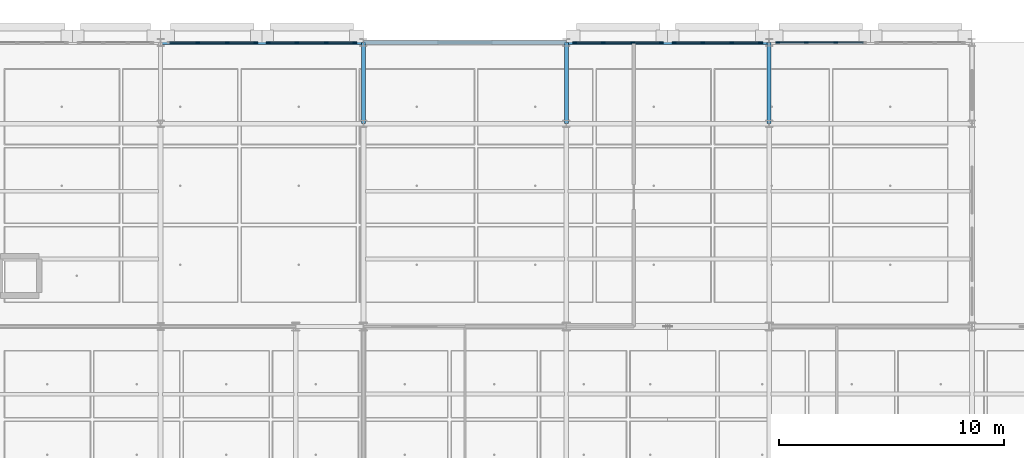
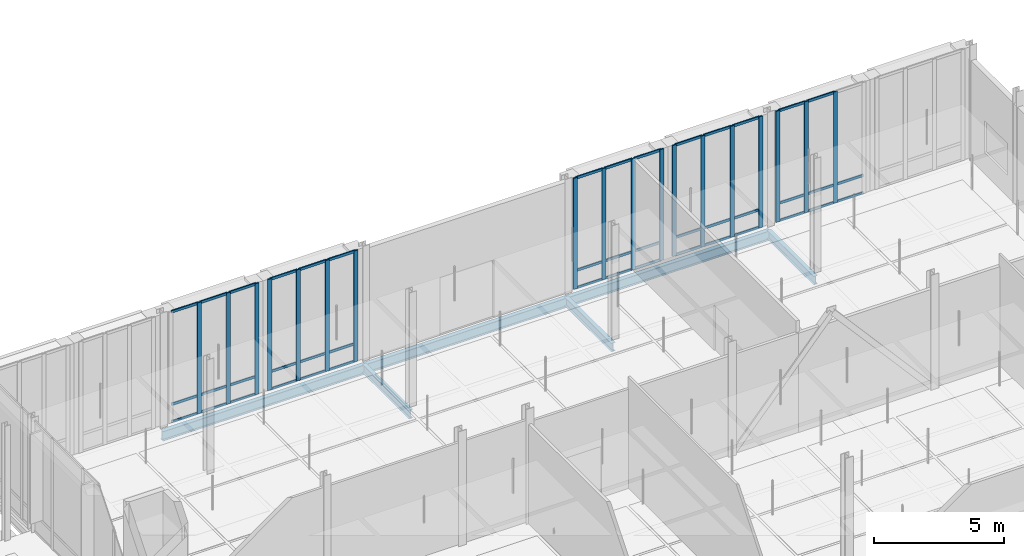
# One storey, part 60 of 180: 62 members, 6 beams, 5 elements without a shape of their own.
"""IFC4 building model written with IfcOpenShell, lengths in metres."""

from ifc_helpers import new_model, si_unit, direction, frame, origin, origin_2d, place, context, subcontext, project, spatial, rectangle, i_section, extrude, material, material_profile, profile_set, type_object, element, aggregate, save


model = new_model("IFC4")

# Units and contexts
model_context = context("Model", 3, precision=1e-05, world=origin(), true_north=direction((0.0, 1.0)))
body_context = subcontext(model_context, "Body", "Model", "MODEL_VIEW")
ifc_project = project(units=[si_unit("LENGTHUNIT", "METRE"), si_unit("AREAUNIT", "SQUARE_METRE"), si_unit("VOLUMEUNIT", "CUBIC_METRE"), si_unit("PLANEANGLEUNIT", "RADIAN"), si_unit("MASSUNIT", "GRAM", prefix="KILO"), si_unit("THERMODYNAMICTEMPERATUREUNIT", "KELVIN"), si_unit("POWERUNIT", "WATT")], contexts=[model_context])

# Site, building, storey
site_placement = place(None, origin())
site = spatial("IfcSite", under=ifc_project, at=site_placement, CompositionType="ELEMENT")
building_placement = place(site_placement, origin())
building = spatial("IfcBuilding", under=site, at=building_placement, Name="Tallowbark Science Centre", CompositionType="ELEMENT")
storey_placement = place(building_placement, origin())
storey = spatial("IfcBuildingStorey", under=building, at=storey_placement, Name="L00", CompositionType="ELEMENT", Elevation=0.0)

# Beams
ifc_material_1 = material(Name="Structural Steel Grade 300PLUS (300 MPa)", Category="steel")
ifc_material_profile_1 = material_profile(ifc_material_1, i_section(OverallWidth=0.177734375, OverallDepth=0.406494140625, WebThickness=0.0078125, FlangeThickness=0.0126953125, FilletRadius=0.011474609375, at=origin_2d()), Name="410UB59.7")
ifc_profile_set_1 = profile_set([ifc_material_profile_1], Name="Structural Steel Grade 300PLUS (300 MPa)")
beam_type_1 = type_object("IfcBeamType", Name="BM-UB410", PredefinedType="BEAM", material=ifc_profile_set_1)
for number, where, z_axis, x_axis, name in (
    (1, (72.0, 108.0, -0.443115234375), (0.0, 1.0, 0.0), (-1.0, 0.0, 0.0), "Primary Girder GRDY-L00-720-1080-1116"),
    (2, (81.0, 108.0, -0.443115234375), (0.0, 1.0, 0.0), (-1.0, 0.0, 0.0), "Primary Girder GRDY-L00-810-1080-1116"),
    (3, (90.0, 108.0, -0.443115234375), (0.0, 1.0, 0.0), (-1.0, 0.0, 0.0), "Primary Girder GRDY-L00-900-1080-1116"),
):
    element("IfcBeam", number, at=place(storey_placement, frame(where, z_axis=z_axis, x_axis=x_axis)), inside=storey, type_object=beam_type_1, Name=name, PredefinedType="BEAM", context=body_context, shape_type="SweptSolid", body=[
        extrude(i_section(OverallWidth=0.177734375, OverallDepth=0.406494140625, WebThickness=0.0078125, FlangeThickness=0.0126953125, FilletRadius=0.011474609375, at=origin_2d()), origin(), (0.0, 0.0, 1.0), 3.60009765625),
    ])

# Curtain wall, members
ifc_material_2 = material(Name="Unitised Thermally Broken Aluminium and Low-E Double Glazing", Category="aluminium")
curtain_wall_type = type_object("IfcCurtainWallType", Name="CW-SYS-FACADE", PredefinedType="NOTDEFINED", material=ifc_material_2)
curtain_wall_1_placement = place(storey_placement, origin())
curtain_wall_1 = element("IfcCurtainWall", 4, at=curtain_wall_1_placement, inside=storey, type_object=curtain_wall_type, Name="Unitised Curtain Wall CAF-N-63A CW-L00-032", PredefinedType="NOTDEFINED")
ifc_material_3 = material(Name="Anodised Architectural Aluminium Alloy 6063-T6", Category="aluminium")
ifc_material_profile_2 = material_profile(ifc_material_3, rectangle(XDim=0.06494140625, YDim=0.179931640625, at=origin_2d()), Name="ALU65x180")
ifc_profile_set_2 = profile_set([ifc_material_profile_2], Name="Anodised Architectural Aluminium Alloy 6063-T6")
member_type_1 = type_object("IfcMemberType", Name="CWM-MUL-220", PredefinedType="MULLION", material=ifc_profile_set_2)
member_1_placement = place(storey_placement, frame((71.617431640625, 111.60009765625, 0.0), z_axis=(0.0, 0.0, 1.0), x_axis=(0.0, -1.0, 0.0)))
member_1 = element("IfcMember", 5, at=member_1_placement, type_object=member_type_1, Name="CW-01 mullion 1", PredefinedType="MULLION", context=body_context, shape_type="SweptSolid", body=[
    extrude(rectangle(XDim=0.06494140625, YDim=0.179931640625, at=origin_2d()), origin(), (0.0, 0.0, 1.0), 5.219970703125),
])
member_2_placement = place(storey_placement, frame((70.35009765625, 111.60009765625, 0.0), z_axis=(0.0, 0.0, 1.0), x_axis=(0.0, -1.0, 0.0)))
member_2 = element("IfcMember", 6, at=member_2_placement, type_object=member_type_1, Name="CW-01 mullion 2", PredefinedType="MULLION", context=body_context, shape_type="SweptSolid", body=[
    extrude(rectangle(XDim=0.06494140625, YDim=0.179931640625, at=origin_2d()), origin(), (0.0, 0.0, 1.0), 5.219970703125),
])
member_3_placement = place(storey_placement, frame((69.050048828125, 111.60009765625, 0.0), z_axis=(0.0, 0.0, 1.0), x_axis=(0.0, -1.0, 0.0)))
member_3 = element("IfcMember", 7, at=member_3_placement, type_object=member_type_1, Name="CW-01 mullion 3", PredefinedType="MULLION", context=body_context, shape_type="SweptSolid", body=[
    extrude(rectangle(XDim=0.06494140625, YDim=0.179931640625, at=origin_2d()), origin(), (0.0, 0.0, 1.0), 5.219970703125),
])
member_4_placement = place(storey_placement, frame((67.782470703125, 111.60009765625, 0.0), z_axis=(0.0, 0.0, 1.0), x_axis=(0.0, -1.0, 0.0)))
member_4 = element("IfcMember", 8, at=member_4_placement, type_object=member_type_1, Name="CW-01 mullion 4", PredefinedType="MULLION", context=body_context, shape_type="SweptSolid", body=[
    extrude(rectangle(XDim=0.06494140625, YDim=0.179931640625, at=origin_2d()), origin(), (0.0, 0.0, 1.0), 5.219970703125),
])

curtain_wall_2_placement = place(storey_placement, origin())
curtain_wall_2 = element("IfcCurtainWall", 9, at=curtain_wall_2_placement, inside=storey, type_object=curtain_wall_type, Name="Unitised Curtain Wall CAF-N-63B CW-L00-033", PredefinedType="NOTDEFINED")
member_5_placement = place(storey_placement, frame((67.217529296875, 111.60009765625, 0.0), z_axis=(0.0, 0.0, 1.0), x_axis=(0.0, -1.0, 0.0)))
member_5 = element("IfcMember", 10, at=member_5_placement, type_object=member_type_1, Name="CW-01 mullion 1", PredefinedType="MULLION", context=body_context, shape_type="SweptSolid", body=[
    extrude(rectangle(XDim=0.06494140625, YDim=0.179931640625, at=origin_2d()), origin(), (0.0, 0.0, 1.0), 5.219970703125),
])
member_6_placement = place(storey_placement, frame((65.949951171875, 111.60009765625, 0.0), z_axis=(0.0, 0.0, 1.0), x_axis=(0.0, -1.0, 0.0)))
member_6 = element("IfcMember", 11, at=member_6_placement, type_object=member_type_1, Name="CW-01 mullion 2", PredefinedType="MULLION", context=body_context, shape_type="SweptSolid", body=[
    extrude(rectangle(XDim=0.06494140625, YDim=0.179931640625, at=origin_2d()), origin(), (0.0, 0.0, 1.0), 5.219970703125),
])
member_7_placement = place(storey_placement, frame((64.64990234375, 111.60009765625, 0.0), z_axis=(0.0, 0.0, 1.0), x_axis=(0.0, -1.0, 0.0)))
member_7 = element("IfcMember", 12, at=member_7_placement, type_object=member_type_1, Name="CW-01 mullion 3", PredefinedType="MULLION", context=body_context, shape_type="SweptSolid", body=[
    extrude(rectangle(XDim=0.06494140625, YDim=0.179931640625, at=origin_2d()), origin(), (0.0, 0.0, 1.0), 5.219970703125),
])

curtain_wall_3_placement = place(storey_placement, origin())
curtain_wall_3 = element("IfcCurtainWall", 13, at=curtain_wall_3_placement, inside=storey, type_object=curtain_wall_type, Name="Unitised Curtain Wall CAF-N-81A CW-L00-034", PredefinedType="NOTDEFINED")
member_8_placement = place(storey_placement, frame((89.617431640625, 111.60009765625, 0.0), z_axis=(0.0, 0.0, 1.0), x_axis=(0.0, -1.0, 0.0)))
member_8 = element("IfcMember", 14, at=member_8_placement, type_object=member_type_1, Name="CW-01 mullion 1", PredefinedType="MULLION", context=body_context, shape_type="SweptSolid", body=[
    extrude(rectangle(XDim=0.06494140625, YDim=0.179931640625, at=origin_2d()), origin(), (0.0, 0.0, 1.0), 5.219970703125),
])
member_9_placement = place(storey_placement, frame((88.35009765625, 111.60009765625, 0.0), z_axis=(0.0, 0.0, 1.0), x_axis=(0.0, -1.0, 0.0)))
member_9 = element("IfcMember", 15, at=member_9_placement, type_object=member_type_1, Name="CW-01 mullion 2", PredefinedType="MULLION", context=body_context, shape_type="SweptSolid", body=[
    extrude(rectangle(XDim=0.06494140625, YDim=0.179931640625, at=origin_2d()), origin(), (0.0, 0.0, 1.0), 5.219970703125),
])
member_10_placement = place(storey_placement, frame((87.050048828125, 111.60009765625, 0.0), z_axis=(0.0, 0.0, 1.0), x_axis=(0.0, -1.0, 0.0)))
member_10 = element("IfcMember", 16, at=member_10_placement, type_object=member_type_1, Name="CW-01 mullion 3", PredefinedType="MULLION", context=body_context, shape_type="SweptSolid", body=[
    extrude(rectangle(XDim=0.06494140625, YDim=0.179931640625, at=origin_2d()), origin(), (0.0, 0.0, 1.0), 5.219970703125),
])
member_11_placement = place(storey_placement, frame((85.782470703125, 111.60009765625, 0.0), z_axis=(0.0, 0.0, 1.0), x_axis=(0.0, -1.0, 0.0)))
member_11 = element("IfcMember", 17, at=member_11_placement, type_object=member_type_1, Name="CW-01 mullion 4", PredefinedType="MULLION", context=body_context, shape_type="SweptSolid", body=[
    extrude(rectangle(XDim=0.06494140625, YDim=0.179931640625, at=origin_2d()), origin(), (0.0, 0.0, 1.0), 5.219970703125),
])

curtain_wall_4_placement = place(storey_placement, origin())
curtain_wall_4 = element("IfcCurtainWall", 18, at=curtain_wall_4_placement, inside=storey, type_object=curtain_wall_type, Name="Unitised Curtain Wall CAF-N-81B CW-L00-035", PredefinedType="NOTDEFINED")
member_12_placement = place(storey_placement, frame((85.217529296875, 111.60009765625, 0.0), z_axis=(0.0, 0.0, 1.0), x_axis=(0.0, -1.0, 0.0)))
member_12 = element("IfcMember", 19, at=member_12_placement, type_object=member_type_1, Name="CW-01 mullion 1", PredefinedType="MULLION", context=body_context, shape_type="SweptSolid", body=[
    extrude(rectangle(XDim=0.06494140625, YDim=0.179931640625, at=origin_2d()), origin(), (0.0, 0.0, 1.0), 5.219970703125),
])
member_13_placement = place(storey_placement, frame((83.949951171875, 111.60009765625, 0.0), z_axis=(0.0, 0.0, 1.0), x_axis=(0.0, -1.0, 0.0)))
member_13 = element("IfcMember", 20, at=member_13_placement, type_object=member_type_1, Name="CW-01 mullion 2", PredefinedType="MULLION", context=body_context, shape_type="SweptSolid", body=[
    extrude(rectangle(XDim=0.06494140625, YDim=0.179931640625, at=origin_2d()), origin(), (0.0, 0.0, 1.0), 5.219970703125),
])
member_14_placement = place(storey_placement, frame((82.64990234375, 111.60009765625, 0.0), z_axis=(0.0, 0.0, 1.0), x_axis=(0.0, -1.0, 0.0)))
member_14 = element("IfcMember", 21, at=member_14_placement, type_object=member_type_1, Name="CW-01 mullion 3", PredefinedType="MULLION", context=body_context, shape_type="SweptSolid", body=[
    extrude(rectangle(XDim=0.06494140625, YDim=0.179931640625, at=origin_2d()), origin(), (0.0, 0.0, 1.0), 5.219970703125),
])
member_15_placement = place(storey_placement, frame((81.382568359375, 111.60009765625, 0.0), z_axis=(0.0, 0.0, 1.0), x_axis=(0.0, -1.0, 0.0)))
member_15 = element("IfcMember", 22, at=member_15_placement, type_object=member_type_1, Name="CW-01 mullion 4", PredefinedType="MULLION", context=body_context, shape_type="SweptSolid", body=[
    extrude(rectangle(XDim=0.06494140625, YDim=0.179931640625, at=origin_2d()), origin(), (0.0, 0.0, 1.0), 5.219970703125),
])

curtain_wall_5_placement = place(storey_placement, origin())
curtain_wall_5 = element("IfcCurtainWall", 23, at=curtain_wall_5_placement, inside=storey, type_object=curtain_wall_type, Name="Unitised Curtain Wall CAF-N-90B CW-L00-037", PredefinedType="NOTDEFINED")
member_16_placement = place(storey_placement, frame((92.949951171875, 111.60009765625, 0.0), z_axis=(0.0, 0.0, 1.0), x_axis=(0.0, -1.0, 0.0)))
member_16 = element("IfcMember", 24, at=member_16_placement, type_object=member_type_1, Name="CW-01 mullion 2", PredefinedType="MULLION", context=body_context, shape_type="SweptSolid", body=[
    extrude(rectangle(XDim=0.06494140625, YDim=0.179931640625, at=origin_2d()), origin(), (0.0, 0.0, 1.0), 5.219970703125),
])
member_17_placement = place(storey_placement, frame((91.64990234375, 111.60009765625, 0.0), z_axis=(0.0, 0.0, 1.0), x_axis=(0.0, -1.0, 0.0)))
member_17 = element("IfcMember", 25, at=member_17_placement, type_object=member_type_1, Name="CW-01 mullion 3", PredefinedType="MULLION", context=body_context, shape_type="SweptSolid", body=[
    extrude(rectangle(XDim=0.06494140625, YDim=0.179931640625, at=origin_2d()), origin(), (0.0, 0.0, 1.0), 5.219970703125),
])
member_18_placement = place(storey_placement, frame((90.382568359375, 111.60009765625, 0.0), z_axis=(0.0, 0.0, 1.0), x_axis=(0.0, -1.0, 0.0)))
member_18 = element("IfcMember", 26, at=member_18_placement, type_object=member_type_1, Name="CW-01 mullion 4", PredefinedType="MULLION", context=body_context, shape_type="SweptSolid", body=[
    extrude(rectangle(XDim=0.06494140625, YDim=0.179931640625, at=origin_2d()), origin(), (0.0, 0.0, 1.0), 5.219970703125),
])

# Member
ifc_material_profile_3 = material_profile(ifc_material_3, rectangle(XDim=0.054931640625, YDim=0.1201171875, at=origin_2d()), Name="ALU55x120")
ifc_profile_set_3 = profile_set([ifc_material_profile_3], Name="Anodised Architectural Aluminium Alloy 6063-T6")
member_type_2 = type_object("IfcMemberType", Name="CWM-TRN-150", PredefinedType="USERDEFINED", material=ifc_profile_set_3)
member_19_placement = place(storey_placement, frame((71.5849609375, 111.60009765625, 0.027587890625), z_axis=(-1.0, 0.0, 0.0), x_axis=(0.0, -1.0, 0.0)))
member_19 = element("IfcMember", 27, at=member_19_placement, type_object=member_type_2, Name="CW-01 transom 1.1", ObjectType="TRANSOM", PredefinedType="USERDEFINED", context=body_context, shape_type="SweptSolid", body=[
    extrude(rectangle(XDim=0.054931640625, YDim=0.1201171875, at=origin_2d()), origin(), (0.0, 0.0, 1.0), 1.202392578125),
])

member_20_placement = place(storey_placement, frame((71.5849609375, 111.60009765625, 0.85009765625), z_axis=(-1.0, 0.0, 0.0), x_axis=(0.0, -1.0, 0.0)))
member_20 = element("IfcMember", 28, at=member_20_placement, type_object=member_type_2, Name="CW-01 transom 1.2", ObjectType="TRANSOM", PredefinedType="USERDEFINED", context=body_context, shape_type="SweptSolid", body=[
    extrude(rectangle(XDim=0.054931640625, YDim=0.1201171875, at=origin_2d()), origin(), (0.0, 0.0, 1.0), 1.202392578125),
])

member_21_placement = place(storey_placement, frame((71.5849609375, 111.60009765625, 5.1923828125), z_axis=(-1.0, 0.0, 0.0), x_axis=(0.0, -1.0, 0.0)))
member_21 = element("IfcMember", 29, at=member_21_placement, type_object=member_type_2, Name="CW-01 transom 1.3", ObjectType="TRANSOM", PredefinedType="USERDEFINED", context=body_context, shape_type="SweptSolid", body=[
    extrude(rectangle(XDim=0.054931640625, YDim=0.1201171875, at=origin_2d()), origin(), (0.0, 0.0, 1.0), 1.202392578125),
])

member_22_placement = place(storey_placement, frame((70.3173828125, 111.60009765625, 0.027587890625), z_axis=(-1.0, 0.0, 0.0), x_axis=(0.0, -1.0, 0.0)))
member_22 = element("IfcMember", 30, at=member_22_placement, type_object=member_type_2, Name="CW-01 transom 2.1", ObjectType="TRANSOM", PredefinedType="USERDEFINED", context=body_context, shape_type="SweptSolid", body=[
    extrude(rectangle(XDim=0.054931640625, YDim=0.1201171875, at=origin_2d()), origin(), (0.0, 0.0, 1.0), 1.23486328125),
])

member_23_placement = place(storey_placement, frame((70.3173828125, 111.60009765625, 0.85009765625), z_axis=(-1.0, 0.0, 0.0), x_axis=(0.0, -1.0, 0.0)))
member_23 = element("IfcMember", 31, at=member_23_placement, type_object=member_type_2, Name="CW-01 transom 2.2", ObjectType="TRANSOM", PredefinedType="USERDEFINED", context=body_context, shape_type="SweptSolid", body=[
    extrude(rectangle(XDim=0.054931640625, YDim=0.1201171875, at=origin_2d()), origin(), (0.0, 0.0, 1.0), 1.23486328125),
])

member_24_placement = place(storey_placement, frame((70.3173828125, 111.60009765625, 5.1923828125), z_axis=(-1.0, 0.0, 0.0), x_axis=(0.0, -1.0, 0.0)))
member_24 = element("IfcMember", 32, at=member_24_placement, type_object=member_type_2, Name="CW-01 transom 2.3", ObjectType="TRANSOM", PredefinedType="USERDEFINED", context=body_context, shape_type="SweptSolid", body=[
    extrude(rectangle(XDim=0.054931640625, YDim=0.1201171875, at=origin_2d()), origin(), (0.0, 0.0, 1.0), 1.23486328125),
])

member_25_placement = place(storey_placement, frame((69.017578125, 111.60009765625, 0.027587890625), z_axis=(-1.0, 0.0, 0.0), x_axis=(0.0, -1.0, 0.0)))
member_25 = element("IfcMember", 33, at=member_25_placement, type_object=member_type_2, Name="CW-01 transom 3.1", ObjectType="TRANSOM", PredefinedType="USERDEFINED", context=body_context, shape_type="SweptSolid", body=[
    extrude(rectangle(XDim=0.054931640625, YDim=0.1201171875, at=origin_2d()), origin(), (0.0, 0.0, 1.0), 1.20263671875),
])

member_26_placement = place(storey_placement, frame((69.017578125, 111.60009765625, 0.85009765625), z_axis=(-1.0, 0.0, 0.0), x_axis=(0.0, -1.0, 0.0)))
member_26 = element("IfcMember", 34, at=member_26_placement, type_object=member_type_2, Name="CW-01 transom 3.2", ObjectType="TRANSOM", PredefinedType="USERDEFINED", context=body_context, shape_type="SweptSolid", body=[
    extrude(rectangle(XDim=0.054931640625, YDim=0.1201171875, at=origin_2d()), origin(), (0.0, 0.0, 1.0), 1.20263671875),
])

member_27_placement = place(storey_placement, frame((69.017578125, 111.60009765625, 5.1923828125), z_axis=(-1.0, 0.0, 0.0), x_axis=(0.0, -1.0, 0.0)))
member_27 = element("IfcMember", 35, at=member_27_placement, type_object=member_type_2, Name="CW-01 transom 3.3", ObjectType="TRANSOM", PredefinedType="USERDEFINED", context=body_context, shape_type="SweptSolid", body=[
    extrude(rectangle(XDim=0.054931640625, YDim=0.1201171875, at=origin_2d()), origin(), (0.0, 0.0, 1.0), 1.20263671875),
])

aggregate(curtain_wall_1, [member_1, member_2, member_3, member_4, member_19, member_20, member_21, member_22, member_23, member_24, member_25, member_26, member_27])

member_28_placement = place(storey_placement, frame((67.18505859375, 111.60009765625, 0.027587890625), z_axis=(-1.0, 0.0, 0.0), x_axis=(0.0, -1.0, 0.0)))
member_28 = element("IfcMember", 36, at=member_28_placement, type_object=member_type_2, Name="CW-01 transom 1.1", ObjectType="TRANSOM", PredefinedType="USERDEFINED", context=body_context, shape_type="SweptSolid", body=[
    extrude(rectangle(XDim=0.054931640625, YDim=0.1201171875, at=origin_2d()), origin(), (0.0, 0.0, 1.0), 1.20263671875),
])

member_29_placement = place(storey_placement, frame((67.18505859375, 111.60009765625, 0.85009765625), z_axis=(-1.0, 0.0, 0.0), x_axis=(0.0, -1.0, 0.0)))
member_29 = element("IfcMember", 37, at=member_29_placement, type_object=member_type_2, Name="CW-01 transom 1.2", ObjectType="TRANSOM", PredefinedType="USERDEFINED", context=body_context, shape_type="SweptSolid", body=[
    extrude(rectangle(XDim=0.054931640625, YDim=0.1201171875, at=origin_2d()), origin(), (0.0, 0.0, 1.0), 1.20263671875),
])

member_30_placement = place(storey_placement, frame((67.18505859375, 111.60009765625, 5.1923828125), z_axis=(-1.0, 0.0, 0.0), x_axis=(0.0, -1.0, 0.0)))
member_30 = element("IfcMember", 38, at=member_30_placement, type_object=member_type_2, Name="CW-01 transom 1.3", ObjectType="TRANSOM", PredefinedType="USERDEFINED", context=body_context, shape_type="SweptSolid", body=[
    extrude(rectangle(XDim=0.054931640625, YDim=0.1201171875, at=origin_2d()), origin(), (0.0, 0.0, 1.0), 1.20263671875),
])

member_31_placement = place(storey_placement, frame((65.91748046875, 111.60009765625, 0.027587890625), z_axis=(-1.0, 0.0, 0.0), x_axis=(0.0, -1.0, 0.0)))
member_31 = element("IfcMember", 39, at=member_31_placement, type_object=member_type_2, Name="CW-01 transom 2.1", ObjectType="TRANSOM", PredefinedType="USERDEFINED", context=body_context, shape_type="SweptSolid", body=[
    extrude(rectangle(XDim=0.054931640625, YDim=0.1201171875, at=origin_2d()), origin(), (0.0, 0.0, 1.0), 1.23486328125),
])

member_32_placement = place(storey_placement, frame((65.91748046875, 111.60009765625, 0.85009765625), z_axis=(-1.0, 0.0, 0.0), x_axis=(0.0, -1.0, 0.0)))
member_32 = element("IfcMember", 40, at=member_32_placement, type_object=member_type_2, Name="CW-01 transom 2.2", ObjectType="TRANSOM", PredefinedType="USERDEFINED", context=body_context, shape_type="SweptSolid", body=[
    extrude(rectangle(XDim=0.054931640625, YDim=0.1201171875, at=origin_2d()), origin(), (0.0, 0.0, 1.0), 1.23486328125),
])

member_33_placement = place(storey_placement, frame((65.91748046875, 111.60009765625, 5.1923828125), z_axis=(-1.0, 0.0, 0.0), x_axis=(0.0, -1.0, 0.0)))
member_33 = element("IfcMember", 41, at=member_33_placement, type_object=member_type_2, Name="CW-01 transom 2.3", ObjectType="TRANSOM", PredefinedType="USERDEFINED", context=body_context, shape_type="SweptSolid", body=[
    extrude(rectangle(XDim=0.054931640625, YDim=0.1201171875, at=origin_2d()), origin(), (0.0, 0.0, 1.0), 1.23486328125),
])

member_34_placement = place(storey_placement, frame((64.617431640625, 111.60009765625, 0.027587890625), z_axis=(-1.0, 0.0, 0.0), x_axis=(0.0, -1.0, 0.0)))
member_34 = element("IfcMember", 42, at=member_34_placement, type_object=member_type_2, Name="CW-01 transom 3.1", ObjectType="TRANSOM", PredefinedType="USERDEFINED", context=body_context, shape_type="SweptSolid", body=[
    extrude(rectangle(XDim=0.054931640625, YDim=0.1201171875, at=origin_2d()), origin(), (0.0, 0.0, 1.0), 1.202392578125),
])

member_35_placement = place(storey_placement, frame((64.617431640625, 111.60009765625, 0.85009765625), z_axis=(-1.0, 0.0, 0.0), x_axis=(0.0, -1.0, 0.0)))
member_35 = element("IfcMember", 43, at=member_35_placement, type_object=member_type_2, Name="CW-01 transom 3.2", ObjectType="TRANSOM", PredefinedType="USERDEFINED", context=body_context, shape_type="SweptSolid", body=[
    extrude(rectangle(XDim=0.054931640625, YDim=0.1201171875, at=origin_2d()), origin(), (0.0, 0.0, 1.0), 1.202392578125),
])

member_36_placement = place(storey_placement, frame((64.617431640625, 111.60009765625, 5.1923828125), z_axis=(-1.0, 0.0, 0.0), x_axis=(0.0, -1.0, 0.0)))
member_36 = element("IfcMember", 44, at=member_36_placement, type_object=member_type_2, Name="CW-01 transom 3.3", ObjectType="TRANSOM", PredefinedType="USERDEFINED", context=body_context, shape_type="SweptSolid", body=[
    extrude(rectangle(XDim=0.054931640625, YDim=0.1201171875, at=origin_2d()), origin(), (0.0, 0.0, 1.0), 1.202392578125),
])

aggregate(curtain_wall_2, [member_5, member_6, member_7, member_28, member_29, member_30, member_31, member_32, member_33, member_34, member_35, member_36])

member_37_placement = place(storey_placement, frame((89.5849609375, 111.60009765625, 0.027587890625), z_axis=(-1.0, 0.0, 0.0), x_axis=(0.0, -1.0, 0.0)))
member_37 = element("IfcMember", 45, at=member_37_placement, type_object=member_type_2, Name="CW-01 transom 1.1", ObjectType="TRANSOM", PredefinedType="USERDEFINED", context=body_context, shape_type="SweptSolid", body=[
    extrude(rectangle(XDim=0.054931640625, YDim=0.1201171875, at=origin_2d()), origin(), (0.0, 0.0, 1.0), 1.202392578125),
])

member_38_placement = place(storey_placement, frame((89.5849609375, 111.60009765625, 0.85009765625), z_axis=(-1.0, 0.0, 0.0), x_axis=(0.0, -1.0, 0.0)))
member_38 = element("IfcMember", 46, at=member_38_placement, type_object=member_type_2, Name="CW-01 transom 1.2", ObjectType="TRANSOM", PredefinedType="USERDEFINED", context=body_context, shape_type="SweptSolid", body=[
    extrude(rectangle(XDim=0.054931640625, YDim=0.1201171875, at=origin_2d()), origin(), (0.0, 0.0, 1.0), 1.202392578125),
])

member_39_placement = place(storey_placement, frame((89.5849609375, 111.60009765625, 5.1923828125), z_axis=(-1.0, 0.0, 0.0), x_axis=(0.0, -1.0, 0.0)))
member_39 = element("IfcMember", 47, at=member_39_placement, type_object=member_type_2, Name="CW-01 transom 1.3", ObjectType="TRANSOM", PredefinedType="USERDEFINED", context=body_context, shape_type="SweptSolid", body=[
    extrude(rectangle(XDim=0.054931640625, YDim=0.1201171875, at=origin_2d()), origin(), (0.0, 0.0, 1.0), 1.202392578125),
])

member_40_placement = place(storey_placement, frame((88.3173828125, 111.60009765625, 0.027587890625), z_axis=(-1.0, 0.0, 0.0), x_axis=(0.0, -1.0, 0.0)))
member_40 = element("IfcMember", 48, at=member_40_placement, type_object=member_type_2, Name="CW-01 transom 2.1", ObjectType="TRANSOM", PredefinedType="USERDEFINED", context=body_context, shape_type="SweptSolid", body=[
    extrude(rectangle(XDim=0.054931640625, YDim=0.1201171875, at=origin_2d()), origin(), (0.0, 0.0, 1.0), 1.23486328125),
])

member_41_placement = place(storey_placement, frame((88.3173828125, 111.60009765625, 0.85009765625), z_axis=(-1.0, 0.0, 0.0), x_axis=(0.0, -1.0, 0.0)))
member_41 = element("IfcMember", 49, at=member_41_placement, type_object=member_type_2, Name="CW-01 transom 2.2", ObjectType="TRANSOM", PredefinedType="USERDEFINED", context=body_context, shape_type="SweptSolid", body=[
    extrude(rectangle(XDim=0.054931640625, YDim=0.1201171875, at=origin_2d()), origin(), (0.0, 0.0, 1.0), 1.23486328125),
])

member_42_placement = place(storey_placement, frame((88.3173828125, 111.60009765625, 5.1923828125), z_axis=(-1.0, 0.0, 0.0), x_axis=(0.0, -1.0, 0.0)))
member_42 = element("IfcMember", 50, at=member_42_placement, type_object=member_type_2, Name="CW-01 transom 2.3", ObjectType="TRANSOM", PredefinedType="USERDEFINED", context=body_context, shape_type="SweptSolid", body=[
    extrude(rectangle(XDim=0.054931640625, YDim=0.1201171875, at=origin_2d()), origin(), (0.0, 0.0, 1.0), 1.23486328125),
])

member_43_placement = place(storey_placement, frame((87.017578125, 111.60009765625, 0.027587890625), z_axis=(-1.0, 0.0, 0.0), x_axis=(0.0, -1.0, 0.0)))
member_43 = element("IfcMember", 51, at=member_43_placement, type_object=member_type_2, Name="CW-01 transom 3.1", ObjectType="TRANSOM", PredefinedType="USERDEFINED", context=body_context, shape_type="SweptSolid", body=[
    extrude(rectangle(XDim=0.054931640625, YDim=0.1201171875, at=origin_2d()), origin(), (0.0, 0.0, 1.0), 1.20263671875),
])

member_44_placement = place(storey_placement, frame((87.017578125, 111.60009765625, 0.85009765625), z_axis=(-1.0, 0.0, 0.0), x_axis=(0.0, -1.0, 0.0)))
member_44 = element("IfcMember", 52, at=member_44_placement, type_object=member_type_2, Name="CW-01 transom 3.2", ObjectType="TRANSOM", PredefinedType="USERDEFINED", context=body_context, shape_type="SweptSolid", body=[
    extrude(rectangle(XDim=0.054931640625, YDim=0.1201171875, at=origin_2d()), origin(), (0.0, 0.0, 1.0), 1.20263671875),
])

member_45_placement = place(storey_placement, frame((87.017578125, 111.60009765625, 5.1923828125), z_axis=(-1.0, 0.0, 0.0), x_axis=(0.0, -1.0, 0.0)))
member_45 = element("IfcMember", 53, at=member_45_placement, type_object=member_type_2, Name="CW-01 transom 3.3", ObjectType="TRANSOM", PredefinedType="USERDEFINED", context=body_context, shape_type="SweptSolid", body=[
    extrude(rectangle(XDim=0.054931640625, YDim=0.1201171875, at=origin_2d()), origin(), (0.0, 0.0, 1.0), 1.20263671875),
])

aggregate(curtain_wall_3, [member_8, member_9, member_10, member_11, member_37, member_38, member_39, member_40, member_41, member_42, member_43, member_44, member_45])

member_46_placement = place(storey_placement, frame((85.18505859375, 111.60009765625, 0.027587890625), z_axis=(-1.0, 0.0, 0.0), x_axis=(0.0, -1.0, 0.0)))
member_46 = element("IfcMember", 54, at=member_46_placement, type_object=member_type_2, Name="CW-01 transom 1.1", ObjectType="TRANSOM", PredefinedType="USERDEFINED", context=body_context, shape_type="SweptSolid", body=[
    extrude(rectangle(XDim=0.054931640625, YDim=0.1201171875, at=origin_2d()), origin(), (0.0, 0.0, 1.0), 1.20263671875),
])

member_47_placement = place(storey_placement, frame((85.18505859375, 111.60009765625, 0.85009765625), z_axis=(-1.0, 0.0, 0.0), x_axis=(0.0, -1.0, 0.0)))
member_47 = element("IfcMember", 55, at=member_47_placement, type_object=member_type_2, Name="CW-01 transom 1.2", ObjectType="TRANSOM", PredefinedType="USERDEFINED", context=body_context, shape_type="SweptSolid", body=[
    extrude(rectangle(XDim=0.054931640625, YDim=0.1201171875, at=origin_2d()), origin(), (0.0, 0.0, 1.0), 1.20263671875),
])

member_48_placement = place(storey_placement, frame((85.18505859375, 111.60009765625, 5.1923828125), z_axis=(-1.0, 0.0, 0.0), x_axis=(0.0, -1.0, 0.0)))
member_48 = element("IfcMember", 56, at=member_48_placement, type_object=member_type_2, Name="CW-01 transom 1.3", ObjectType="TRANSOM", PredefinedType="USERDEFINED", context=body_context, shape_type="SweptSolid", body=[
    extrude(rectangle(XDim=0.054931640625, YDim=0.1201171875, at=origin_2d()), origin(), (0.0, 0.0, 1.0), 1.20263671875),
])

member_49_placement = place(storey_placement, frame((83.91748046875, 111.60009765625, 0.027587890625), z_axis=(-1.0, 0.0, 0.0), x_axis=(0.0, -1.0, 0.0)))
member_49 = element("IfcMember", 57, at=member_49_placement, type_object=member_type_2, Name="CW-01 transom 2.1", ObjectType="TRANSOM", PredefinedType="USERDEFINED", context=body_context, shape_type="SweptSolid", body=[
    extrude(rectangle(XDim=0.054931640625, YDim=0.1201171875, at=origin_2d()), origin(), (0.0, 0.0, 1.0), 1.23486328125),
])

member_50_placement = place(storey_placement, frame((83.91748046875, 111.60009765625, 0.85009765625), z_axis=(-1.0, 0.0, 0.0), x_axis=(0.0, -1.0, 0.0)))
member_50 = element("IfcMember", 58, at=member_50_placement, type_object=member_type_2, Name="CW-01 transom 2.2", ObjectType="TRANSOM", PredefinedType="USERDEFINED", context=body_context, shape_type="SweptSolid", body=[
    extrude(rectangle(XDim=0.054931640625, YDim=0.1201171875, at=origin_2d()), origin(), (0.0, 0.0, 1.0), 1.23486328125),
])

member_51_placement = place(storey_placement, frame((83.91748046875, 111.60009765625, 5.1923828125), z_axis=(-1.0, 0.0, 0.0), x_axis=(0.0, -1.0, 0.0)))
member_51 = element("IfcMember", 59, at=member_51_placement, type_object=member_type_2, Name="CW-01 transom 2.3", ObjectType="TRANSOM", PredefinedType="USERDEFINED", context=body_context, shape_type="SweptSolid", body=[
    extrude(rectangle(XDim=0.054931640625, YDim=0.1201171875, at=origin_2d()), origin(), (0.0, 0.0, 1.0), 1.23486328125),
])

member_52_placement = place(storey_placement, frame((82.617431640625, 111.60009765625, 0.027587890625), z_axis=(-1.0, 0.0, 0.0), x_axis=(0.0, -1.0, 0.0)))
member_52 = element("IfcMember", 60, at=member_52_placement, type_object=member_type_2, Name="CW-01 transom 3.1", ObjectType="TRANSOM", PredefinedType="USERDEFINED", context=body_context, shape_type="SweptSolid", body=[
    extrude(rectangle(XDim=0.054931640625, YDim=0.1201171875, at=origin_2d()), origin(), (0.0, 0.0, 1.0), 1.202392578125),
])

member_53_placement = place(storey_placement, frame((82.617431640625, 111.60009765625, 0.85009765625), z_axis=(-1.0, 0.0, 0.0), x_axis=(0.0, -1.0, 0.0)))
member_53 = element("IfcMember", 61, at=member_53_placement, type_object=member_type_2, Name="CW-01 transom 3.2", ObjectType="TRANSOM", PredefinedType="USERDEFINED", context=body_context, shape_type="SweptSolid", body=[
    extrude(rectangle(XDim=0.054931640625, YDim=0.1201171875, at=origin_2d()), origin(), (0.0, 0.0, 1.0), 1.202392578125),
])

member_54_placement = place(storey_placement, frame((82.617431640625, 111.60009765625, 5.1923828125), z_axis=(-1.0, 0.0, 0.0), x_axis=(0.0, -1.0, 0.0)))
member_54 = element("IfcMember", 62, at=member_54_placement, type_object=member_type_2, Name="CW-01 transom 3.3", ObjectType="TRANSOM", PredefinedType="USERDEFINED", context=body_context, shape_type="SweptSolid", body=[
    extrude(rectangle(XDim=0.054931640625, YDim=0.1201171875, at=origin_2d()), origin(), (0.0, 0.0, 1.0), 1.202392578125),
])

aggregate(curtain_wall_4, [member_12, member_13, member_14, member_15, member_46, member_47, member_48, member_49, member_50, member_51, member_52, member_53, member_54])

member_55_placement = place(storey_placement, frame((94.18505859375, 111.60009765625, 0.027587890625), z_axis=(-1.0, 0.0, 0.0), x_axis=(0.0, -1.0, 0.0)))
member_55 = element("IfcMember", 63, at=member_55_placement, type_object=member_type_2, Name="CW-01 transom 1.1", ObjectType="TRANSOM", PredefinedType="USERDEFINED", context=body_context, shape_type="SweptSolid", body=[
    extrude(rectangle(XDim=0.054931640625, YDim=0.1201171875, at=origin_2d()), origin(), (0.0, 0.0, 1.0), 1.20263671875),
])

member_56_placement = place(storey_placement, frame((94.18505859375, 111.60009765625, 0.85009765625), z_axis=(-1.0, 0.0, 0.0), x_axis=(0.0, -1.0, 0.0)))
member_56 = element("IfcMember", 64, at=member_56_placement, type_object=member_type_2, Name="CW-01 transom 1.2", ObjectType="TRANSOM", PredefinedType="USERDEFINED", context=body_context, shape_type="SweptSolid", body=[
    extrude(rectangle(XDim=0.054931640625, YDim=0.1201171875, at=origin_2d()), origin(), (0.0, 0.0, 1.0), 1.20263671875),
])

member_57_placement = place(storey_placement, frame((92.91748046875, 111.60009765625, 0.027587890625), z_axis=(-1.0, 0.0, 0.0), x_axis=(0.0, -1.0, 0.0)))
member_57 = element("IfcMember", 65, at=member_57_placement, type_object=member_type_2, Name="CW-01 transom 2.1", ObjectType="TRANSOM", PredefinedType="USERDEFINED", context=body_context, shape_type="SweptSolid", body=[
    extrude(rectangle(XDim=0.054931640625, YDim=0.1201171875, at=origin_2d()), origin(), (0.0, 0.0, 1.0), 1.23486328125),
])

member_58_placement = place(storey_placement, frame((92.91748046875, 111.60009765625, 0.85009765625), z_axis=(-1.0, 0.0, 0.0), x_axis=(0.0, -1.0, 0.0)))
member_58 = element("IfcMember", 66, at=member_58_placement, type_object=member_type_2, Name="CW-01 transom 2.2", ObjectType="TRANSOM", PredefinedType="USERDEFINED", context=body_context, shape_type="SweptSolid", body=[
    extrude(rectangle(XDim=0.054931640625, YDim=0.1201171875, at=origin_2d()), origin(), (0.0, 0.0, 1.0), 1.23486328125),
])

member_59_placement = place(storey_placement, frame((92.91748046875, 111.60009765625, 5.1923828125), z_axis=(-1.0, 0.0, 0.0), x_axis=(0.0, -1.0, 0.0)))
member_59 = element("IfcMember", 67, at=member_59_placement, type_object=member_type_2, Name="CW-01 transom 2.3", ObjectType="TRANSOM", PredefinedType="USERDEFINED", context=body_context, shape_type="SweptSolid", body=[
    extrude(rectangle(XDim=0.054931640625, YDim=0.1201171875, at=origin_2d()), origin(), (0.0, 0.0, 1.0), 1.23486328125),
])

member_60_placement = place(storey_placement, frame((91.617431640625, 111.60009765625, 0.027587890625), z_axis=(-1.0, 0.0, 0.0), x_axis=(0.0, -1.0, 0.0)))
member_60 = element("IfcMember", 68, at=member_60_placement, type_object=member_type_2, Name="CW-01 transom 3.1", ObjectType="TRANSOM", PredefinedType="USERDEFINED", context=body_context, shape_type="SweptSolid", body=[
    extrude(rectangle(XDim=0.054931640625, YDim=0.1201171875, at=origin_2d()), origin(), (0.0, 0.0, 1.0), 1.202392578125),
])

member_61_placement = place(storey_placement, frame((91.617431640625, 111.60009765625, 0.85009765625), z_axis=(-1.0, 0.0, 0.0), x_axis=(0.0, -1.0, 0.0)))
member_61 = element("IfcMember", 69, at=member_61_placement, type_object=member_type_2, Name="CW-01 transom 3.2", ObjectType="TRANSOM", PredefinedType="USERDEFINED", context=body_context, shape_type="SweptSolid", body=[
    extrude(rectangle(XDim=0.054931640625, YDim=0.1201171875, at=origin_2d()), origin(), (0.0, 0.0, 1.0), 1.202392578125),
])

member_62_placement = place(storey_placement, frame((91.617431640625, 111.60009765625, 5.1923828125), z_axis=(-1.0, 0.0, 0.0), x_axis=(0.0, -1.0, 0.0)))
member_62 = element("IfcMember", 70, at=member_62_placement, type_object=member_type_2, Name="CW-01 transom 3.3", ObjectType="TRANSOM", PredefinedType="USERDEFINED", context=body_context, shape_type="SweptSolid", body=[
    extrude(rectangle(XDim=0.054931640625, YDim=0.1201171875, at=origin_2d()), origin(), (0.0, 0.0, 1.0), 1.202392578125),
])

aggregate(curtain_wall_5, [member_16, member_17, member_18, member_55, member_56, member_57, member_58, member_59, member_60, member_61, member_62])

# Beams
ifc_material_profile_4 = material_profile(ifc_material_1, i_section(OverallWidth=0.18994140625, OverallDepth=0.453857421875, WebThickness=0.008544921875, FlangeThickness=0.0126953125, FilletRadius=0.011474609375, at=origin_2d()), Name="460UB67.1")
ifc_profile_set_4 = profile_set([ifc_material_profile_4], Name="Structural Steel Grade 300PLUS (300 MPa)")
beam_type_2 = type_object("IfcBeamType", Name="SPN-UB460", PredefinedType="SPANDREL", material=ifc_profile_set_4)
for number, where, z_axis, x_axis, name in (
    (71, (63.0, 111.60009765625, -0.466796875), (1.0, 0.0, 0.0), (0.0, 1.0, 0.0), "Primary Girder GRDX-L00-630-720-1116"),
    (72, (72.0, 111.60009765625, -0.466796875), (1.0, 0.0, 0.0), (0.0, 1.0, 0.0), "Primary Girder GRDX-L00-720-810-1116"),
    (73, (81.0, 111.60009765625, -0.466796875), (1.0, 0.0, 0.0), (0.0, 1.0, 0.0), "Primary Girder GRDX-L00-810-900-1116"),
):
    element("IfcBeam", number, at=place(storey_placement, frame(where, z_axis=z_axis, x_axis=x_axis)), inside=storey, type_object=beam_type_2, Name=name, PredefinedType="SPANDREL", context=body_context, shape_type="SweptSolid", body=[
        extrude(i_section(OverallWidth=0.18994140625, OverallDepth=0.453857421875, WebThickness=0.008544921875, FlangeThickness=0.0126953125, FilletRadius=0.011474609375, at=origin_2d()), origin(), (0.0, 0.0, 1.0), 9.0),
    ])

save(model, "model.ifc")
